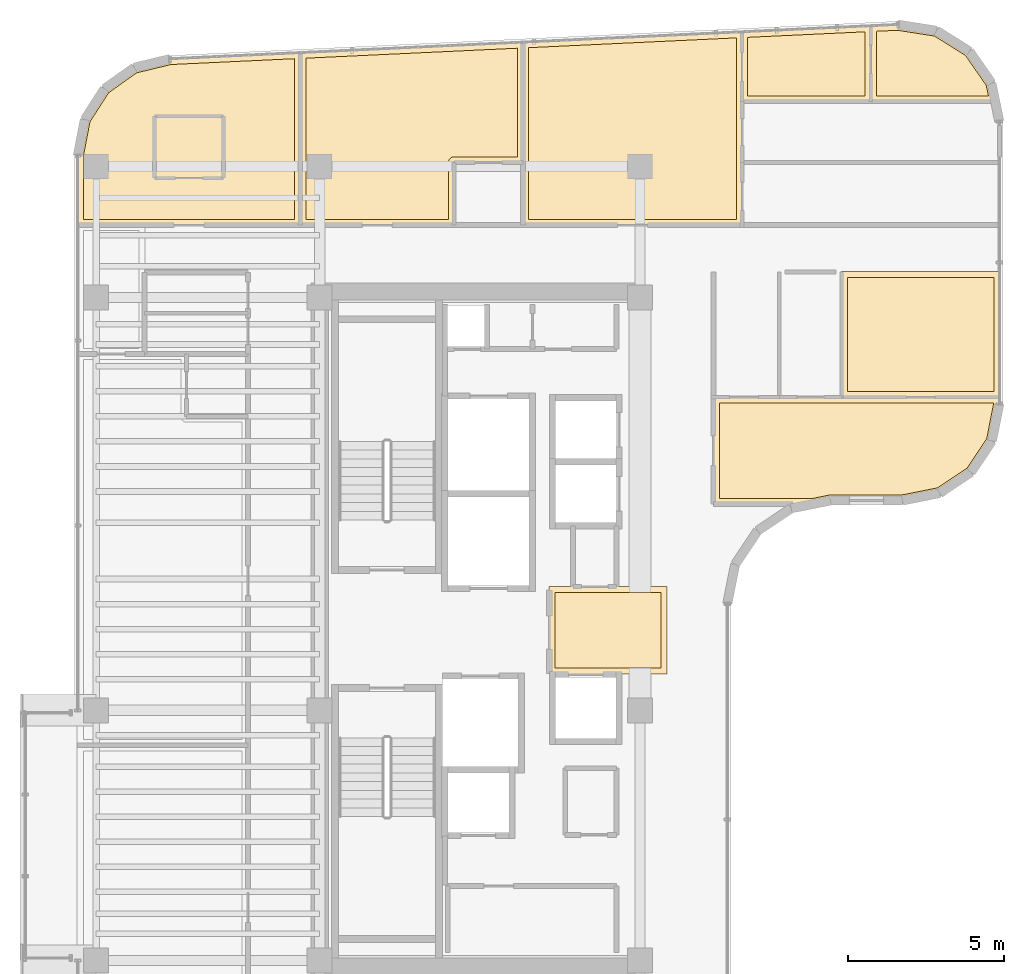
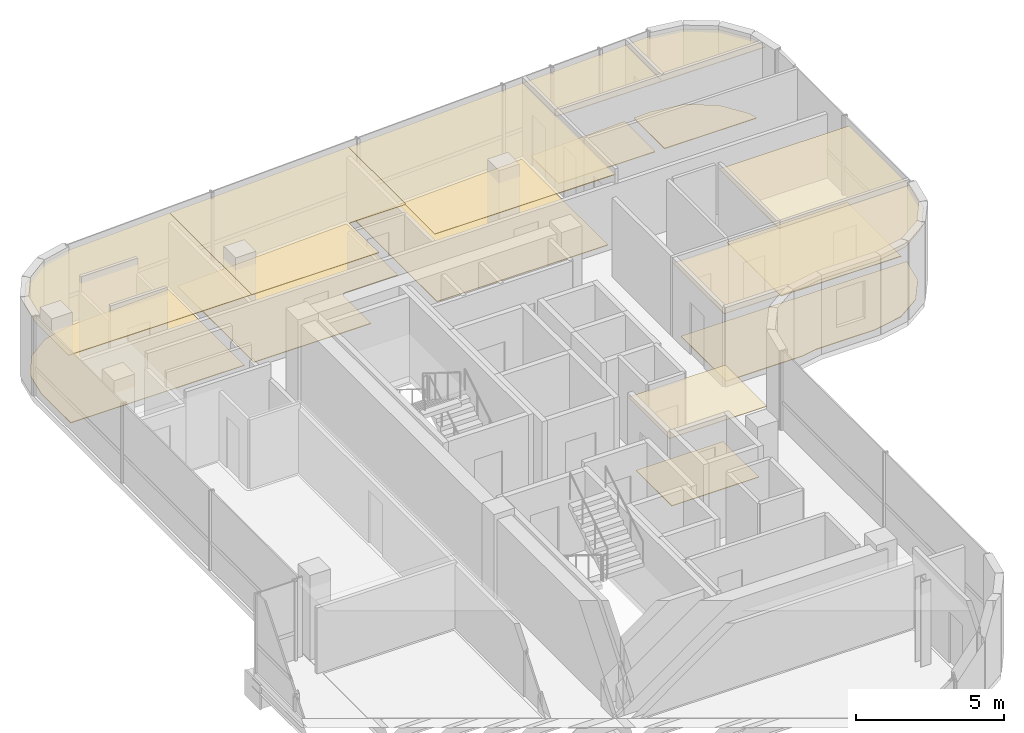
# One storey, part 19 of 19: 16 coverings.
"""IFC4 building model written with IfcOpenShell, lengths in metres."""

from ifc_helpers import new_model, si_unit, direction, frame, origin, place, context, subcontext, project, spatial, polyline, outline, extrude, material, layer, layer_set, type_object, element, save


model = new_model("IFC4")

# Units and contexts
model_context = context("Model", 3, precision=1e-05, world=origin(), true_north=direction((0.0, 1.0)))
body_context = subcontext(model_context, "Body", "Model", "MODEL_VIEW")
ifc_project = project(units=[si_unit("LENGTHUNIT", "METRE"), si_unit("AREAUNIT", "SQUARE_METRE"), si_unit("VOLUMEUNIT", "CUBIC_METRE"), si_unit("PLANEANGLEUNIT", "RADIAN"), si_unit("MASSUNIT", "GRAM", prefix="KILO")], contexts=[model_context])

# Site, building, storey
site_placement = place(None, origin())
site = spatial("IfcSite", under=ifc_project, at=site_placement, CompositionType="ELEMENT")
building_placement = place(site_placement, origin())
building = spatial("IfcBuilding", under=site, at=building_placement, Name="Valdorenza Pilgrim Sanctuary Tower", CompositionType="ELEMENT")
storey_placement = place(building_placement, frame((0.0, 0.0, 269.5)))
storey = spatial("IfcBuildingStorey", under=building, at=storey_placement, Name="L70", CompositionType="ELEMENT", Elevation=269.5)

# Coverings
ifc_material_1 = material(Name="Micro-perforated acoustic mineral ceiling tile", Category="gypsum")
ifc_layer_1 = layer(ifc_material_1, 0.02490234375, Name="Micro-perforated acoustic mineral ceiling tile")
ifc_layer_set_1 = layer_set([ifc_layer_1], Name="Micro-perforated acoustic mineral ceiling tile")
covering_type_1 = type_object("IfcCoveringType", Name="COV-CLG-ACU", PredefinedType="CEILING", material=ifc_layer_set_1)
covering_1_placement = place(storey_placement, frame((0.0, 0.0, 2.9599609375)))
element("IfcCovering", 1, at=covering_1_placement, inside=storey, type_object=covering_type_1, Name="L70 Core A Passenger Lift Lobby Acoustic Ceiling", PredefinedType="CEILING", context=body_context, shape_type="SweptSolid", body=[
    extrude(outline(polyline([(-15.31494140625, 1.35009765625), (-15.31494140625, 1.3515625), (-15.314697265625, 1.352783203125), (-15.314453125, 1.3544921875), (-15.31396484375, 1.355712890625), (-15.313232421875, 1.357177734375), (-15.3125, 1.3583984375), (-15.3115234375, 1.359619140625), (-15.310546875, 1.360595703125), (-15.3095703125, 1.361572265625), (-15.308349609375, 1.362548828125), (-15.30712890625, 1.36328125), (-15.3056640625, 1.364013671875), (-15.304443359375, 1.364501953125), (-15.302978515625, 1.36474609375), (-15.301513671875, 1.364990234375), (-15.300048828125, 1.364990234375), (-11.550048828125, 1.364990234375), (-11.548583984375, 1.364990234375), (-11.547119140625, 1.36474609375), (-11.545654296875, 1.364501953125), (-11.544189453125, 1.364013671875), (-11.54296875, 1.36328125), (-11.541748046875, 1.362548828125), (-11.54052734375, 1.361572265625), (-11.539306640625, 1.360595703125), (-11.538330078125, 1.359619140625), (-11.53759765625, 1.3583984375), (-11.536865234375, 1.357177734375), (-11.5361328125, 1.355712890625), (-11.53564453125, 1.3544921875), (-11.535400390625, 1.352783203125), (-11.53515625, 1.3515625), (-11.534912109375, 1.35009765625), (-11.534912109375, -1.419921875), (-11.53515625, -1.42138671875), (-11.535400390625, -1.4228515625), (-11.53564453125, -1.42431640625), (-11.5361328125, -1.42578125), (-11.536865234375, -1.427001953125), (-11.53759765625, -1.42822265625), (-11.538330078125, -1.429443359375), (-11.539306640625, -1.4306640625), (-11.54052734375, -1.431640625), (-11.541748046875, -1.4326171875), (-11.54296875, -1.43310546875), (-11.544189453125, -1.433837890625), (-11.545654296875, -1.434326171875), (-11.547119140625, -1.434814453125), (-11.548583984375, -1.434814453125), (-11.550048828125, -1.43505859375), (-15.298095703125, -1.43505859375), (-15.299560546875, -1.434814453125), (-15.30078125, -1.434814453125), (-15.302490234375, -1.434326171875), (-15.3037109375, -1.433837890625), (-15.30517578125, -1.43310546875), (-15.306396484375, -1.4326171875), (-15.3076171875, -1.431640625), (-15.30859375, -1.4306640625), (-15.3095703125, -1.429443359375), (-15.310546875, -1.42822265625), (-15.311279296875, -1.427001953125), (-15.31201171875, -1.42578125), (-15.3125, -1.42431640625), (-15.312744140625, -1.4228515625), (-15.31298828125, -1.42138671875), (-15.31298828125, -1.419921875), (-15.31298828125, 1.244384765625), (-15.31298828125, 1.24462890625), (-15.313720703125, 1.24609375), (-15.314208984375, 1.24755859375), (-15.314697265625, 1.2490234375), (-15.31494140625, 1.25048828125), (-15.31494140625, 1.251953125), (-15.31494140625, 1.35009765625)])), origin(), (0.0, 0.0, 1.0), 0.025146484375),
])
covering_2_placement = place(storey_placement, frame((0.0, 0.0, 2.9599609375)))
element("IfcCovering", 2, at=covering_2_placement, inside=storey, type_object=covering_type_1, Name="L70 North Family Guest Room L70-N1A Acoustic Ceiling", PredefinedType="CEILING", context=body_context, shape_type="SweptSolid", body=[
    extrude(outline(polyline([(-30.181396484375, 16.298095703125), (-30.180908203125, 16.299560546875), (-30.180419921875, 16.30078125), (-30.179931640625, 16.30224609375), (-30.17919921875, 16.303466796875), (-29.547119140625, 17.286865234375), (-29.546142578125, 17.2880859375), (-29.545166015625, 17.2890625), (-29.544189453125, 17.2900390625), (-29.54296875, 17.291015625), (-28.59033203125, 17.968994140625), (-28.589111328125, 17.9697265625), (-28.587890625, 17.97021484375), (-28.586669921875, 17.970947265625), (-28.585205078125, 17.97119140625), (-27.438720703125, 18.248779296875), (-27.437255859375, 18.249267578125), (-27.435791015625, 18.249267578125), (-23.270751953125, 18.445556640625), (-23.269287109375, 18.445556640625), (-23.267578125, 18.445556640625), (-23.26611328125, 18.4453125), (-23.264892578125, 18.444580078125), (-23.263427734375, 18.444091796875), (-23.261962890625, 18.443359375), (-23.2607421875, 18.4423828125), (-23.259521484375, 18.44140625), (-23.258544921875, 18.4404296875), (-23.2578125, 18.439208984375), (-23.2568359375, 18.43798828125), (-23.256103515625, 18.4365234375), (-23.255615234375, 18.43505859375), (-23.25537109375, 18.43359375), (-23.255126953125, 18.43212890625), (-23.2548828125, 18.4306640625), (-23.2548828125, 12.919921875), (-23.255126953125, 12.91845703125), (-23.25537109375, 12.9169921875), (-23.255615234375, 12.91552734375), (-23.256103515625, 12.914306640625), (-23.2568359375, 12.912841796875), (-23.257568359375, 12.91162109375), (-23.25830078125, 12.910400390625), (-23.259521484375, 12.909423828125), (-23.260498046875, 12.908447265625), (-23.26171875, 12.907470703125), (-23.262939453125, 12.90673828125), (-23.264404296875, 12.906005859375), (-23.265625, 12.905517578125), (-23.26708984375, 12.9052734375), (-23.2685546875, 12.905029296875), (-23.27001953125, 12.905029296875), (-28.248046875, 12.905029296875), (-28.24951171875, 12.905029296875), (-28.250732421875, 12.9052734375), (-28.252197265625, 12.905517578125), (-28.253662109375, 12.906005859375), (-28.2548828125, 12.90673828125), (-28.25537109375, 12.906982421875), (-30.389892578125, 12.906982421875), (-30.3916015625, 12.906982421875), (-30.392822265625, 12.9072265625), (-30.394287109375, 12.90771484375), (-30.395751953125, 12.908203125), (-30.397216796875, 12.90869140625), (-30.398193359375, 12.909423828125), (-30.3994140625, 12.910400390625), (-30.400634765625, 12.911376953125), (-30.401611328125, 12.91259765625), (-30.402587890625, 12.913818359375), (-30.4033203125, 12.914794921875), (-30.40380859375, 12.916259765625), (-30.404296875, 12.91748046875), (-30.40478515625, 12.919189453125), (-30.40478515625, 12.92041015625), (-30.405029296875, 12.922119140625), (-30.405029296875, 15.13671875), (-30.40478515625, 15.13818359375), (-30.40478515625, 15.1396484375), (-30.181396484375, 16.298095703125)])), origin(), (0.0, 0.0, 1.0), 0.025146484375),
])
covering_3_placement = place(storey_placement, frame((0.0, 0.0, 2.9599609375)))
element("IfcCovering", 3, at=covering_3_placement, inside=storey, type_object=covering_type_1, Name="L70 North Family Guest Room L70-N1B Acoustic Ceiling", PredefinedType="CEILING", context=body_context, shape_type="SweptSolid", body=[
    extrude(outline(polyline([(-23.282958984375, 18.4306640625), (-23.282958984375, 18.431396484375), (-23.28271484375, 18.432861328125), (-23.28271484375, 18.434326171875), (-23.281982421875, 18.435791015625), (-23.281494140625, 18.437255859375), (-23.281005859375, 18.4384765625), (-23.280029296875, 18.439697265625), (-23.279052734375, 18.44091796875), (-23.278076171875, 18.44189453125), (-23.27685546875, 18.44287109375), (-23.275634765625, 18.443603515625), (-23.2744140625, 18.4443359375), (-23.27294921875, 18.44482421875), (-23.271484375, 18.4453125), (-23.270263671875, 18.445556640625), (-23.268798828125, 18.44580078125), (-16.15087890625, 18.78125), (-16.150146484375, 18.78125), (-16.14990234375, 18.78125), (-16.1484375, 18.78125), (-16.147216796875, 18.781005859375), (-16.1455078125, 18.78076171875), (-16.144287109375, 18.7802734375), (-16.142822265625, 18.779541015625), (-16.1416015625, 18.77880859375), (-16.140380859375, 18.77783203125), (-16.139404296875, 18.77685546875), (-16.138427734375, 18.77587890625), (-16.137451171875, 18.774658203125), (-16.13671875, 18.7734375), (-16.135986328125, 18.77197265625), (-16.135498046875, 18.770751953125), (-16.13525390625, 18.769287109375), (-16.135009765625, 18.767822265625), (-16.135009765625, 18.766357421875), (-16.135009765625, 14.922119140625), (-16.135009765625, 14.92041015625), (-16.13525390625, 14.919189453125), (-16.135498046875, 14.91748046875), (-16.135986328125, 14.916259765625), (-16.13671875, 14.914794921875), (-16.137451171875, 14.913818359375), (-16.138427734375, 14.91259765625), (-16.139404296875, 14.911376953125), (-16.140380859375, 14.910400390625), (-16.1416015625, 14.909423828125), (-16.142822265625, 14.90869140625), (-16.144287109375, 14.908203125), (-16.1455078125, 14.90771484375), (-16.147216796875, 14.9072265625), (-16.1484375, 14.906982421875), (-16.14990234375, 14.906982421875), (-18.3369140625, 14.906982421875), (-18.3369140625, 12.919921875), (-18.337158203125, 12.91845703125), (-18.33740234375, 12.9169921875), (-18.337646484375, 12.91552734375), (-18.338134765625, 12.914306640625), (-18.3388671875, 12.912841796875), (-18.339599609375, 12.91162109375), (-18.34033203125, 12.910400390625), (-18.34130859375, 12.909423828125), (-18.342529296875, 12.908447265625), (-18.34375, 12.907470703125), (-18.344970703125, 12.90673828125), (-18.34619140625, 12.906005859375), (-18.34765625, 12.905517578125), (-18.34912109375, 12.9052734375), (-18.3505859375, 12.905029296875), (-18.35205078125, 12.905029296875), (-23.26806640625, 12.905029296875), (-23.26953125, 12.905029296875), (-23.27099609375, 12.9052734375), (-23.2724609375, 12.905517578125), (-23.273681640625, 12.906005859375), (-23.275146484375, 12.90673828125), (-23.2763671875, 12.907470703125), (-23.277587890625, 12.908447265625), (-23.278564453125, 12.909423828125), (-23.279541015625, 12.910400390625), (-23.280517578125, 12.91162109375), (-23.28125, 12.912841796875), (-23.281982421875, 12.914306640625), (-23.282470703125, 12.91552734375), (-23.28271484375, 12.9169921875), (-23.282958984375, 12.91845703125), (-23.282958984375, 12.919921875), (-23.282958984375, 18.4306640625), (-23.282958984375, 18.4306640625)])), origin(), (0.0, 0.0, 1.0), 0.025146484375),
])
covering_4_placement = place(storey_placement, frame((0.0, 0.0, 2.9599609375)))
element("IfcCovering", 4, at=covering_4_placement, inside=storey, type_object=covering_type_1, Name="L70 North Family Flat L70-N2 Bedroom 1 Acoustic Ceiling", PredefinedType="CEILING", context=body_context, shape_type="SweptSolid", body=[
    extrude(outline(polyline([(-9.1396484375, 16.85498046875), (-9.14111328125, 16.85498046875), (-9.142578125, 16.855224609375), (-9.14404296875, 16.855712890625), (-9.145263671875, 16.856201171875), (-9.146728515625, 16.856689453125), (-9.14794921875, 16.857421875), (-9.149169921875, 16.8583984375), (-9.150146484375, 16.859375), (-9.151123046875, 16.860595703125), (-9.152099609375, 16.86181640625), (-9.15283203125, 16.86279296875), (-9.153564453125, 16.8642578125), (-9.154052734375, 16.865478515625), (-9.154296875, 16.8671875), (-9.154541015625, 16.868408203125), (-9.154541015625, 16.8701171875), (-9.154541015625, 19.0966796875), (-9.154541015625, 19.09814453125), (-9.154296875, 19.099609375), (-9.154052734375, 19.10107421875), (-9.153564453125, 19.102294921875), (-9.15283203125, 19.103759765625), (-9.152099609375, 19.10498046875), (-9.1513671875, 19.106201171875), (-9.150390625, 19.107177734375), (-9.1494140625, 19.108154296875), (-9.148193359375, 19.10888671875), (-9.147216796875, 19.10986328125), (-9.145751953125, 19.1103515625), (-9.14453125, 19.111083984375), (-9.14306640625, 19.111328125), (-9.1416015625, 19.111572265625), (-9.140380859375, 19.11181640625), (-5.025390625, 19.305908203125), (-5.02392578125, 19.3056640625), (-5.0224609375, 19.3056640625), (-5.02099609375, 19.305419921875), (-5.01953125, 19.3046875), (-5.018310546875, 19.30419921875), (-5.016845703125, 19.303466796875), (-5.015625, 19.302490234375), (-5.014404296875, 19.301513671875), (-5.013427734375, 19.300537109375), (-5.012451171875, 19.29931640625), (-5.01171875, 19.298095703125), (-5.010986328125, 19.296630859375), (-5.010498046875, 19.29541015625), (-5.010009765625, 19.293701171875), (-5.010009765625, 19.292236328125), (-5.009765625, 19.290771484375), (-5.009765625, 16.8701171875), (-5.010009765625, 16.868408203125), (-5.010009765625, 16.8671875), (-5.010498046875, 16.865478515625), (-5.010986328125, 16.8642578125), (-5.01171875, 16.86279296875), (-5.01220703125, 16.86181640625), (-5.01318359375, 16.860595703125), (-5.01416015625, 16.859375), (-5.015380859375, 16.8583984375), (-5.0166015625, 16.857421875), (-5.017578125, 16.856689453125), (-5.01904296875, 16.856201171875), (-5.0205078125, 16.855712890625), (-5.02197265625, 16.855224609375), (-5.023193359375, 16.85498046875), (-5.02490234375, 16.85498046875), (-9.1396484375, 16.85498046875)])), origin(), (0.0, 0.0, 1.0), 0.025146484375),
])
covering_5_placement = place(storey_placement, frame((0.0, 0.0, 2.9599609375)))
element("IfcCovering", 5, at=covering_5_placement, inside=storey, type_object=covering_type_1, Name="L70 North Family Flat L70-N2 Bedroom 2 Acoustic Ceiling", PredefinedType="CEILING", context=body_context, shape_type="SweptSolid", body=[
    extrude(outline(polyline([(-5.037841796875, 19.290771484375), (-5.037841796875, 19.29150390625), (-5.03759765625, 19.293212890625), (-5.037353515625, 19.29443359375), (-5.036865234375, 19.2958984375), (-5.036376953125, 19.29736328125), (-5.03564453125, 19.298583984375), (-5.034912109375, 19.2998046875), (-5.033935546875, 19.30078125), (-5.032958984375, 19.302001953125), (-5.03173828125, 19.302978515625), (-5.030517578125, 19.3037109375), (-5.029296875, 19.304443359375), (-5.02783203125, 19.304931640625), (-5.0263671875, 19.305419921875), (-5.02490234375, 19.3056640625), (-5.0234375, 19.305908203125), (-4.157470703125, 19.3466796875), (-4.156005859375, 19.3466796875), (-4.154296875, 19.346435546875), (-2.91748046875, 19.153076171875), (-2.916015625, 19.152587890625), (-2.91455078125, 19.15234375), (-2.9130859375, 19.151611328125), (-2.911865234375, 19.15087890625), (-1.860595703125, 18.492431640625), (-1.859619140625, 18.49169921875), (-1.8583984375, 18.490478515625), (-1.857421875, 18.489501953125), (-1.8564453125, 18.48828125), (-1.149169921875, 17.46923828125), (-1.148193359375, 17.468017578125), (-1.147705078125, 17.466552734375), (-1.147216796875, 17.465087890625), (-1.146728515625, 17.463623046875), (-1.025634765625, 16.873046875), (-1.025390625, 16.87158203125), (-1.025390625, 16.8701171875), (-1.025390625, 16.86865234375), (-1.025634765625, 16.8671875), (-1.02587890625, 16.86572265625), (-1.0263671875, 16.8642578125), (-1.027099609375, 16.863037109375), (-1.02783203125, 16.86181640625), (-1.02880859375, 16.860595703125), (-1.02978515625, 16.859375), (-1.03076171875, 16.8583984375), (-1.031982421875, 16.857421875), (-1.033203125, 16.856689453125), (-1.03466796875, 16.856201171875), (-1.035888671875, 16.855712890625), (-1.037353515625, 16.855224609375), (-1.038818359375, 16.85498046875), (-1.040283203125, 16.85498046875), (-5.022705078125, 16.85498046875), (-5.0244140625, 16.85498046875), (-5.025634765625, 16.855224609375), (-5.027099609375, 16.855712890625), (-5.028564453125, 16.856201171875), (-5.02978515625, 16.856689453125), (-5.031005859375, 16.857421875), (-5.0322265625, 16.8583984375), (-5.033447265625, 16.859375), (-5.034423828125, 16.860595703125), (-5.035400390625, 16.86181640625), (-5.035888671875, 16.86279296875), (-5.03662109375, 16.8642578125), (-5.037109375, 16.865478515625), (-5.03759765625, 16.8671875), (-5.03759765625, 16.868408203125), (-5.037841796875, 16.8701171875), (-5.037841796875, 19.290771484375), (-5.037841796875, 19.290771484375)])), origin(), (0.0, 0.0, 1.0), 0.025146484375),
])
covering_6_placement = place(storey_placement, frame((0.0, 0.0, 2.9599609375)))
element("IfcCovering", 6, at=covering_6_placement, inside=storey, type_object=covering_type_1, Name="L70 North Family Flat L70-N2 Living Room Acoustic Ceiling", PredefinedType="CEILING", context=body_context, shape_type="SweptSolid", body=[
    extrude(outline(polyline([(-16.1630859375, 14.918212890625), (-16.1630859375, 14.9189453125), (-16.163330078125, 14.92041015625), (-16.1630859375, 14.922119140625), (-16.1630859375, 14.923583984375), (-16.1630859375, 14.923828125), (-16.1630859375, 18.766357421875), (-16.1630859375, 18.766357421875), (-16.1630859375, 18.76708984375), (-16.162841796875, 18.7685546875), (-16.16259765625, 18.77001953125), (-16.162109375, 18.771484375), (-16.16162109375, 18.772705078125), (-16.160888671875, 18.774169921875), (-16.159912109375, 18.775390625), (-16.1591796875, 18.776611328125), (-16.158203125, 18.777587890625), (-16.156982421875, 18.778564453125), (-16.15576171875, 18.779296875), (-16.154296875, 18.780029296875), (-16.153076171875, 18.780517578125), (-16.151611328125, 18.781005859375), (-16.150146484375, 18.78125), (-16.148681640625, 18.781494140625), (-9.142333984375, 19.11181640625), (-9.140869140625, 19.11181640625), (-9.139404296875, 19.111572265625), (-9.1376953125, 19.111083984375), (-9.136474609375, 19.11083984375), (-9.135009765625, 19.110107421875), (-9.133544921875, 19.109375), (-9.13232421875, 19.1083984375), (-9.131103515625, 19.107666015625), (-9.130126953125, 19.1064453125), (-9.12939453125, 19.105224609375), (-9.12841796875, 19.10400390625), (-9.127685546875, 19.1025390625), (-9.127197265625, 19.101318359375), (-9.126953125, 19.099609375), (-9.126708984375, 19.09814453125), (-9.126708984375, 19.0966796875), (-9.126708984375, 16.87548828125), (-9.126220703125, 16.875), (-9.125732421875, 16.87353515625), (-9.125244140625, 16.872314453125), (-9.125, 16.870849609375), (-9.124755859375, 16.869384765625), (-9.12451171875, 16.867919921875), (-9.12451171875, 12.919921875), (-9.124755859375, 12.91845703125), (-9.125, 12.9169921875), (-9.125244140625, 12.91552734375), (-9.125732421875, 12.914306640625), (-9.12646484375, 12.912841796875), (-9.127197265625, 12.91162109375), (-9.1279296875, 12.910400390625), (-9.12890625, 12.909423828125), (-9.130126953125, 12.908447265625), (-9.13134765625, 12.907470703125), (-9.132568359375, 12.90673828125), (-9.1337890625, 12.906005859375), (-9.13525390625, 12.905517578125), (-9.13671875, 12.9052734375), (-9.13818359375, 12.905029296875), (-9.1396484375, 12.905029296875), (-16.14794921875, 12.905029296875), (-16.1494140625, 12.905029296875), (-16.15087890625, 12.9052734375), (-16.15234375, 12.905517578125), (-16.15380859375, 12.906005859375), (-16.155029296875, 12.90673828125), (-16.15625, 12.907470703125), (-16.157470703125, 12.908447265625), (-16.15869140625, 12.909423828125), (-16.15966796875, 12.910400390625), (-16.160400390625, 12.91162109375), (-16.1611328125, 12.912841796875), (-16.161865234375, 12.914306640625), (-16.162353515625, 12.91552734375), (-16.16259765625, 12.9169921875), (-16.162841796875, 12.91845703125), (-16.1630859375, 12.919921875), (-16.1630859375, 14.918212890625)])), origin(), (0.0, 0.0, 1.0), 0.025146484375),
])
covering_7_placement = place(storey_placement, frame((0.0, 0.0, 2.9599609375)))
element("IfcCovering", 7, at=covering_7_placement, inside=storey, type_object=covering_type_1, Name="L70 East Sanctuary Apartment L70-E1 Bedroom Acoustic Ceiling", PredefinedType="CEILING", context=body_context, shape_type="SweptSolid", body=[
    extrude(outline(polyline([(-5.965087890625, 11.419921875), (-5.96484375, 11.42138671875), (-5.964599609375, 11.4228515625), (-5.96435546875, 11.42431640625), (-5.9638671875, 11.42578125), (-5.963134765625, 11.427001953125), (-5.96240234375, 11.42822265625), (-5.961669921875, 11.429443359375), (-5.960693359375, 11.4306640625), (-5.95947265625, 11.431640625), (-5.958251953125, 11.4326171875), (-5.95703125, 11.43310546875), (-5.955810546875, 11.433837890625), (-5.954345703125, 11.434326171875), (-5.952880859375, 11.434814453125), (-5.951416015625, 11.434814453125), (-5.949951171875, 11.43505859375), (-0.909912109375, 11.43505859375), (-0.908447265625, 11.434814453125), (-0.906982421875, 11.434814453125), (-0.905517578125, 11.434326171875), (-0.904296875, 11.433837890625), (-0.90283203125, 11.43310546875), (-0.901611328125, 11.4326171875), (-0.900390625, 11.431640625), (-0.8994140625, 11.4306640625), (-0.8984375, 11.429443359375), (-0.8974609375, 11.42822265625), (-0.896728515625, 11.427001953125), (-0.89599609375, 11.42578125), (-0.8955078125, 11.42431640625), (-0.895263671875, 11.4228515625), (-0.89501953125, 11.42138671875), (-0.89501953125, 11.419921875), (-0.89501953125, 7.4130859375), (-0.89501953125, 7.41162109375), (-0.895263671875, 7.410400390625), (-0.8955078125, 7.40869140625), (-0.89599609375, 7.407470703125), (-0.896728515625, 7.406005859375), (-0.8974609375, 7.40478515625), (-0.8984375, 7.40380859375), (-0.8994140625, 7.402587890625), (-0.900390625, 7.401611328125), (-0.901611328125, 7.400634765625), (-0.90283203125, 7.39990234375), (-0.904296875, 7.3994140625), (-0.905517578125, 7.398681640625), (-0.906982421875, 7.3984375), (-0.908447265625, 7.398193359375), (-0.909912109375, 7.398193359375), (-5.949951171875, 7.398193359375), (-5.951416015625, 7.398193359375), (-5.952880859375, 7.3984375), (-5.954345703125, 7.398681640625), (-5.955810546875, 7.3994140625), (-5.95703125, 7.39990234375), (-5.958251953125, 7.400634765625), (-5.95947265625, 7.401611328125), (-5.960693359375, 7.402587890625), (-5.961669921875, 7.40380859375), (-5.96240234375, 7.40478515625), (-5.963134765625, 7.406005859375), (-5.9638671875, 7.407470703125), (-5.96435546875, 7.40869140625), (-5.964599609375, 7.410400390625), (-5.96484375, 7.41162109375), (-5.965087890625, 7.4130859375), (-5.965087890625, 11.419921875)])), origin(), (0.0, 0.0, 1.0), 0.025146484375),
])
covering_8_placement = place(storey_placement, frame((0.0, 0.0, 2.9599609375)))
element("IfcCovering", 8, at=covering_8_placement, inside=storey, type_object=covering_type_1, Name="L70 East Sanctuary Apartment L70-E1 Living Room Acoustic Ceiling", PredefinedType="CEILING", context=body_context, shape_type="SweptSolid", body=[
    extrude(outline(polyline([(-10.06494140625, 7.4130859375), (-10.06494140625, 7.414794921875), (-10.064697265625, 7.416015625), (-10.064453125, 7.41748046875), (-10.06396484375, 7.4189453125), (-10.063232421875, 7.42041015625), (-10.0625, 7.42138671875), (-10.0615234375, 7.422607421875), (-10.060546875, 7.423828125), (-10.0595703125, 7.4248046875), (-10.058349609375, 7.42578125), (-10.05712890625, 7.426513671875), (-10.0556640625, 7.427001953125), (-10.054443359375, 7.427490234375), (-10.052978515625, 7.427978515625), (-10.051513671875, 7.427978515625), (-10.050048828125, 7.42822265625), (-5.951904296875, 7.42822265625), (-5.95068359375, 7.427978515625), (-5.94921875, 7.427978515625), (-5.94775390625, 7.427490234375), (-5.9462890625, 7.427001953125), (-5.945068359375, 7.426513671875), (-5.944580078125, 7.42626953125), (-0.909912109375, 7.42626953125), (-0.908447265625, 7.426025390625), (-0.906982421875, 7.42578125), (-0.905517578125, 7.425537109375), (-0.904296875, 7.425048828125), (-0.90283203125, 7.42431640625), (-0.901611328125, 7.423583984375), (-0.900390625, 7.4228515625), (-0.8994140625, 7.421875), (-0.8984375, 7.420654296875), (-0.8974609375, 7.41943359375), (-0.896728515625, 7.418212890625), (-0.89599609375, 7.4169921875), (-0.8955078125, 7.41552734375), (-0.895263671875, 7.4140625), (-0.89501953125, 7.41259765625), (-0.89501953125, 7.4111328125), (-0.89501953125, 7.210693359375), (-0.89501953125, 7.20947265625), (-0.895263671875, 7.2080078125), (-1.132568359375, 6.015380859375), (-1.1328125, 6.013916015625), (-1.13330078125, 6.0126953125), (-1.134033203125, 6.01123046875), (-1.134765625, 6.010009765625), (-1.80419921875, 5.00830078125), (-1.804931640625, 5.007080078125), (-1.805908203125, 5.006103515625), (-1.80712890625, 5.0048828125), (-1.808349609375, 5.004150390625), (-2.81005859375, 4.334716796875), (-2.811279296875, 4.333984375), (-2.8125, 4.33349609375), (-2.81396484375, 4.3330078125), (-2.8154296875, 4.33251953125), (-4.0078125, 4.09521484375), (-4.009521484375, 4.09521484375), (-4.0107421875, 4.094970703125), (-6.299560546875, 4.094970703125), (-6.309326171875, 4.094482421875), (-6.31884765625, 4.093017578125), (-6.86083984375, 3.9853515625), (-6.8623046875, 3.985107421875), (-6.86376953125, 3.985107421875), (-10.050048828125, 3.985107421875), (-10.051513671875, 3.985107421875), (-10.052978515625, 3.9853515625), (-10.054443359375, 3.985595703125), (-10.0556640625, 3.986083984375), (-10.05712890625, 3.98681640625), (-10.058349609375, 3.987548828125), (-10.0595703125, 3.98828125), (-10.060546875, 3.989501953125), (-10.0615234375, 3.990478515625), (-10.0625, 3.99169921875), (-10.063232421875, 3.992919921875), (-10.06396484375, 3.994384765625), (-10.064453125, 3.99560546875), (-10.064697265625, 3.9970703125), (-10.06494140625, 3.99853515625), (-10.06494140625, 4.0), (-10.06494140625, 7.4130859375)])), origin(), (0.0, 0.0, 1.0), 0.025146484375),
])
ifc_material_2 = material(Name="Engineered European oak timber flooring", Category="wood")
ifc_layer_2 = layer(ifc_material_2, 0.02197265625, Name="Engineered European oak timber flooring")
ifc_layer_set_2 = layer_set([ifc_layer_2], Name="Engineered European oak timber flooring")
covering_type_2 = type_object("IfcCoveringType", Name="COV-FLR-OAK", PredefinedType="FLOORING", material=ifc_layer_set_2)
covering_9_placement = place(storey_placement, origin())
element("IfcCovering", 9, at=covering_9_placement, inside=storey, type_object=covering_type_2, Name="L70 North Family Guest Room L70-N1A Flooring", PredefinedType="FLOORING", context=body_context, shape_type="SweptSolid", body=[
    extrude(outline(polyline([(-29.996337890625, 16.227294921875), (-29.401611328125, 17.152099609375), (-28.505615234375, 17.789794921875), (-27.409423828125, 18.055419921875), (-23.449951171875, 18.241943359375), (-23.449951171875, 13.10009765625), (-28.22314453125, 13.10009765625), (-28.22314453125, 13.10009765625), (-28.223388671875, 13.10009765625), (-28.240966796875, 13.101806640625), (-28.2412109375, 13.101806640625), (-28.25, 13.10205078125), (-30.2099609375, 13.10205078125), (-30.2099609375, 15.11962890625), (-29.996337890625, 16.227294921875)])), origin(), (0.0, 0.0, 1.0), 0.02490234375),
])
covering_10_placement = place(storey_placement, origin())
element("IfcCovering", 10, at=covering_10_placement, inside=storey, type_object=covering_type_2, Name="L70 North Family Guest Room L70-N1B Flooring", PredefinedType="FLOORING", context=body_context, shape_type="SweptSolid", body=[
    extrude(outline(polyline([(-16.330078125, 18.57763671875), (-16.330078125, 15.10205078125), (-18.35009765625, 15.10205078125), (-18.35888671875, 15.101806640625), (-18.35888671875, 15.101806640625), (-18.376708984375, 15.10009765625), (-18.376708984375, 15.10009765625), (-18.39404296875, 15.0966796875), (-18.394287109375, 15.096435546875), (-18.4111328125, 15.09130859375), (-18.411376953125, 15.09130859375), (-18.427734375, 15.084716796875), (-18.427978515625, 15.08447265625), (-18.443603515625, 15.076171875), (-18.443603515625, 15.076171875), (-18.458251953125, 15.066162109375), (-18.45849609375, 15.066162109375), (-18.47216796875, 15.054931640625), (-18.472412109375, 15.0546875), (-18.48486328125, 15.042236328125), (-18.48486328125, 15.0419921875), (-18.49609375, 15.028564453125), (-18.49609375, 15.0283203125), (-18.506103515625, 15.013671875), (-18.506103515625, 15.013427734375), (-18.514404296875, 14.997802734375), (-18.5146484375, 14.997802734375), (-18.521240234375, 14.9814453125), (-18.521484375, 14.981201171875), (-18.526611328125, 14.96435546875), (-18.526611328125, 14.964111328125), (-18.530029296875, 14.94677734375), (-18.530029296875, 14.946533203125), (-18.53173828125, 14.928955078125), (-18.53173828125, 14.9287109375), (-18.531982421875, 14.919921875), (-18.531982421875, 13.10009765625), (-23.087890625, 13.10009765625), (-23.087890625, 18.259033203125), (-16.330078125, 18.57763671875)])), origin(), (0.0, 0.0, 1.0), 0.02490234375),
])
covering_11_placement = place(storey_placement, origin())
element("IfcCovering", 11, at=covering_11_placement, inside=storey, type_object=covering_type_2, Name="L70 North Family Flat L70-N2 Bedroom 1 Flooring", PredefinedType="FLOORING", context=body_context, shape_type="SweptSolid", body=[
    extrude(outline(polyline([(-8.959716796875, 17.050048828125), (-8.959716796875, 18.925048828125), (-5.204833984375, 19.10205078125), (-5.204833984375, 17.050048828125), (-8.959716796875, 17.050048828125)])), origin(), (0.0, 0.0, 1.0), 0.02490234375),
])
covering_12_placement = place(storey_placement, origin())
element("IfcCovering", 12, at=covering_12_placement, inside=storey, type_object=covering_type_2, Name="L70 North Family Flat L70-N2 Bedroom 2 Flooring", PredefinedType="FLOORING", context=body_context, shape_type="SweptSolid", body=[
    extrude(outline(polyline([(-4.16650390625, 19.15087890625), (-2.984130859375, 18.966064453125), (-1.99560546875, 18.3466796875), (-1.330322265625, 17.388427734375), (-1.260986328125, 17.050048828125), (-4.8427734375, 17.050048828125), (-4.8427734375, 19.119140625), (-4.16650390625, 19.15087890625)])), origin(), (0.0, 0.0, 1.0), 0.02490234375),
])
covering_13_placement = place(storey_placement, origin())
element("IfcCovering", 13, at=covering_13_placement, inside=storey, type_object=covering_type_2, Name="L70 North Family Flat L70-N2 Living Room Flooring", PredefinedType="FLOORING", context=body_context, shape_type="SweptSolid", body=[
    extrude(outline(polyline([(-15.968017578125, 14.921630859375), (-15.968017578125, 14.922119140625), (-15.968017578125, 18.594482421875), (-9.321533203125, 18.907958984375), (-9.321533203125, 16.8701171875), (-9.319580078125, 13.10009765625), (-15.968017578125, 13.10009765625), (-15.968017578125, 14.919921875), (-15.968017578125, 14.9208984375), (-15.968017578125, 14.921630859375)])), origin(), (0.0, 0.0, 1.0), 0.02490234375),
])
covering_14_placement = place(storey_placement, origin())
element("IfcCovering", 14, at=covering_14_placement, inside=storey, type_object=covering_type_2, Name="L70 East Sanctuary Apartment L70-E1 Bedroom Flooring", PredefinedType="FLOORING", context=body_context, shape_type="SweptSolid", body=[
    extrude(outline(polyline([(-5.77001953125, 11.239990234375), (-1.090087890625, 11.239990234375), (-1.090087890625, 7.59326171875), (-5.77001953125, 7.59326171875), (-5.77001953125, 11.239990234375)])), origin(), (0.0, 0.0, 1.0), 0.02490234375),
])
covering_15_placement = place(storey_placement, origin())
element("IfcCovering", 15, at=covering_15_placement, inside=storey, type_object=covering_type_2, Name="L70 East Sanctuary Apartment L70-E1 Living Room Flooring", PredefinedType="FLOORING", context=body_context, shape_type="SweptSolid", body=[
    extrude(outline(polyline([(-9.8701171875, 7.233154296875), (-5.976806640625, 7.233154296875), (-5.976806640625, 7.233154296875), (-5.9765625, 7.233154296875), (-5.958984375, 7.2314453125), (-5.958740234375, 7.2314453125), (-5.949951171875, 7.231201171875), (-1.090087890625, 7.231201171875), (-1.090087890625, 7.228515625), (-1.31689453125, 6.088623046875), (-1.9462890625, 5.146484375), (-2.888671875, 4.516845703125), (-4.028564453125, 4.2900390625), (-6.300048828125, 4.2900390625), (-6.308837890625, 4.289794921875), (-6.319580078125, 4.289306640625), (-6.337158203125, 4.28759765625), (-6.347900390625, 4.285888671875), (-6.356689453125, 4.284423828125), (-6.881591796875, 4.179931640625), (-9.8701171875, 4.179931640625), (-9.8701171875, 7.233154296875)])), origin(), (0.0, 0.0, 1.0), 0.02490234375),
])
ifc_material_3 = material(Name="Honed travertine stone flooring", Category="masonry")
ifc_layer_3 = layer(ifc_material_3, 0.030029296875, Name="Honed travertine stone flooring")
ifc_layer_set_3 = layer_set([ifc_layer_3], Name="Honed travertine stone flooring")
covering_type_3 = type_object("IfcCoveringType", Name="COV-FLR-TRV", PredefinedType="FLOORING", material=ifc_layer_set_3)
covering_16_placement = place(storey_placement, origin())
element("IfcCovering", 16, at=covering_16_placement, inside=storey, type_object=covering_type_3, Name="L70 Core A Passenger Lift Lobby Flooring", PredefinedType="FLOORING", context=body_context, shape_type="SweptSolid", body=[
    extrude(outline(polyline([(-15.117919921875, 1.169921875), (-11.72998046875, 1.169921875), (-11.72998046875, -1.239990234375), (-15.117919921875, -1.239990234375), (-15.117919921875, 1.169921875)])), origin(), (0.0, 0.0, 1.0), 0.02490234375),
])

save(model, "model.ifc")
